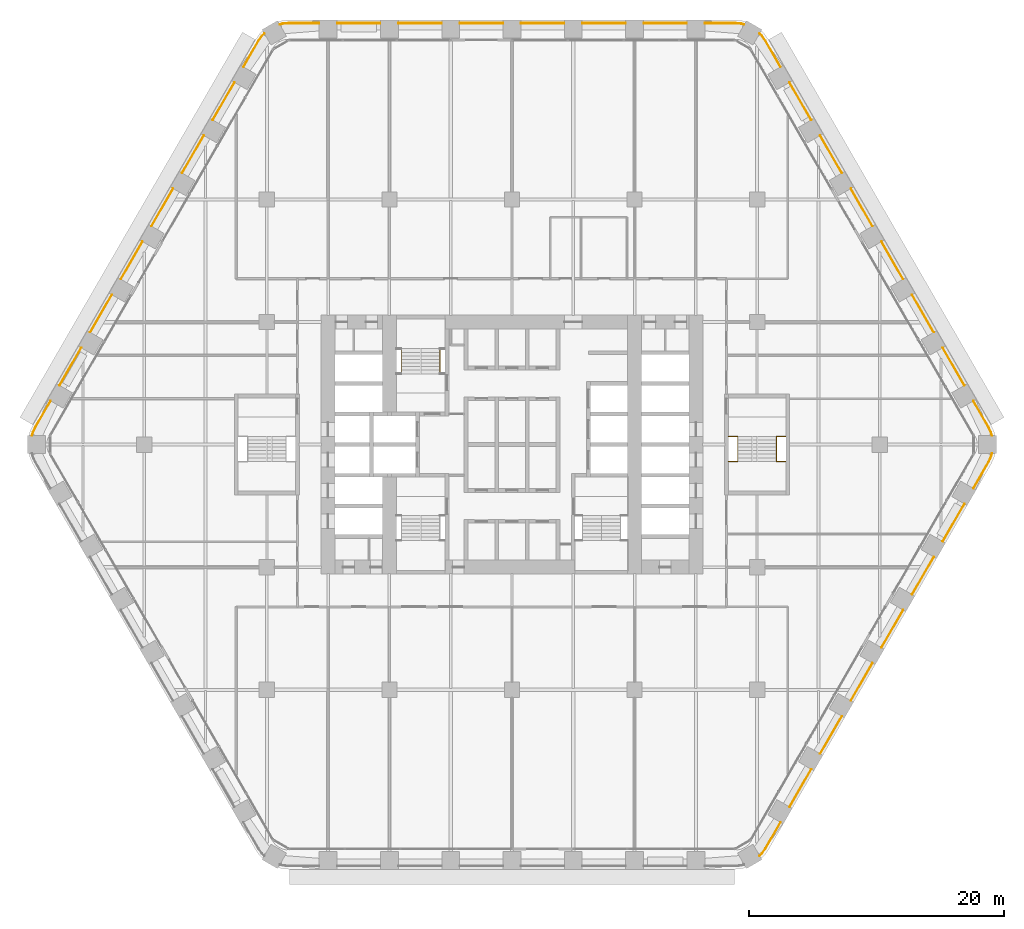
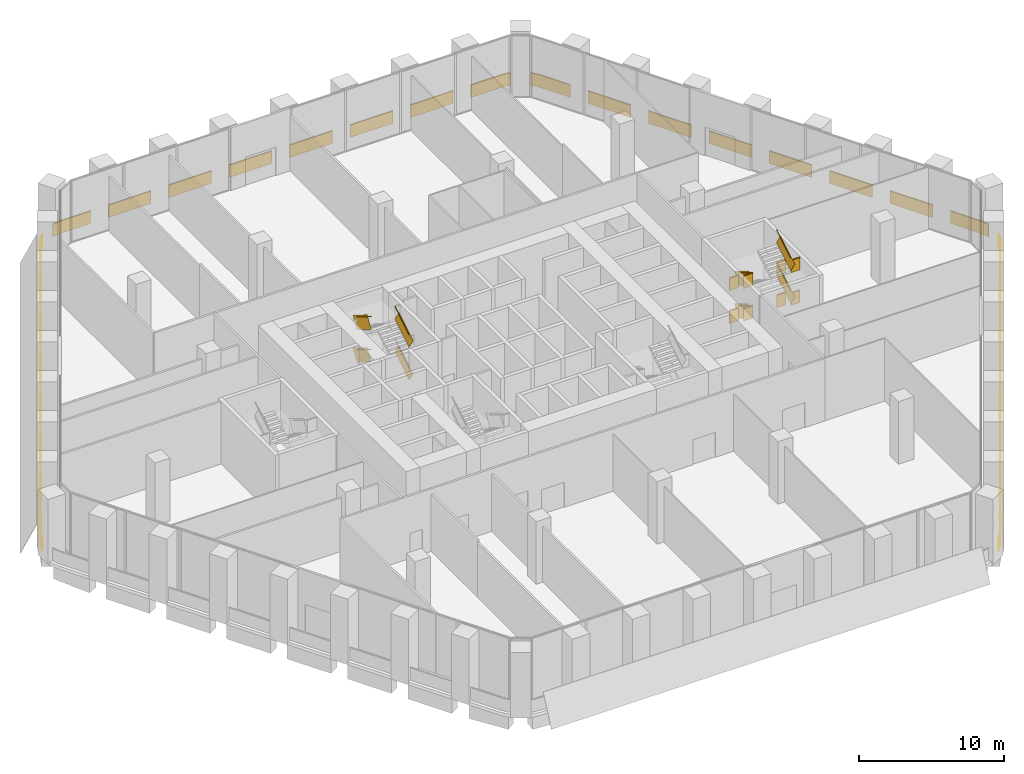
# One storey, part 27 of 27: 7 railings.
"""IFC4 building model written with IfcOpenShell, lengths in metres."""

from ifc_helpers import new_model, si_unit, direction, frame, frame_2d, origin, origin_2d, place, context, subcontext, project, spatial, rectangle, extrude, material, type_object, element, save


model = new_model("IFC4")

# Units and contexts
model_context = context("Model", 3, precision=1e-05, world=origin(), true_north=direction((0.0, 1.0)))
body_context = subcontext(model_context, "Body", "Model", "MODEL_VIEW")
ifc_project = project(units=[si_unit("LENGTHUNIT", "METRE"), si_unit("AREAUNIT", "SQUARE_METRE"), si_unit("VOLUMEUNIT", "CUBIC_METRE"), si_unit("PLANEANGLEUNIT", "RADIAN"), si_unit("MASSUNIT", "GRAM", prefix="KILO")], contexts=[model_context])

# Site, building, storey
site_placement = place(None, origin())
site = spatial("IfcSite", under=ifc_project, at=site_placement, CompositionType="ELEMENT")
building_placement = place(site_placement, origin())
building = spatial("IfcBuilding", under=site, at=building_placement, Name="Kolab Exchange Tower", CompositionType="ELEMENT")
storey_placement = place(building_placement, frame((0.0, 0.0, 27.89990234375)))
storey = spatial("IfcBuildingStorey", under=building, at=storey_placement, Name="L05", CompositionType="ELEMENT", Elevation=27.89990234375)

# Railings
ifc_material_1 = material(Name="Stainless steel 316", Category="steel")
railing_type_1 = type_object("IfcRailingType", Name="GUARD 1100", PredefinedType="GUARDRAIL", material=ifc_material_1)
railing_1_placement = place(storey_placement, frame((-5.639892578125, 5.550048828125, 0.172119140625)))
element("IfcRailing", 1, at=railing_1_placement, inside=storey, type_object=railing_type_1, Name="Handrail guard ST1", PredefinedType="GUARDRAIL", context=body_context, shape_type="SweptSolid", body=[
    extrude(rectangle(XDim=0.05, YDim=0.05, at=origin_2d()), frame((0.0, 0.0, 1.0751953125), z_axis=(0.0, 0.852288308005, 0.523072308613), x_axis=(-1.0, 0.0, 0.0)), (0.0, 0.0, 1.0), 2.299560546875),
    extrude(rectangle(XDim=0.012, YDim=1.05009765625, at=frame_2d((0.0, 0.525146484375))), frame((0.0, 0.0, 0.0), z_axis=(0.0, 0.852288308005, 0.523072308613), x_axis=(-1.0, 0.0, 0.0)), (0.0, 0.0, 1.0), 2.299560546875),
    extrude(rectangle(XDim=0.05, YDim=0.05, at=origin_2d()), frame((-3.02001953125, 1.9599609375, 2.4501953125), z_axis=(0.0, -0.852288308005, 0.523072308613), x_axis=(1.0, 0.0, 0.0)), (0.0, 0.0, 1.0), 2.299560546875),
    extrude(rectangle(XDim=0.012, YDim=1.05009765625, at=frame_2d((0.0, 0.525146484375))), frame((-3.02001953125, 1.9599609375, 1.375), z_axis=(0.0, -0.852288308005, 0.523072308613), x_axis=(1.0, 0.0, 0.0)), (0.0, 0.0, 1.0), 2.299560546875),
    extrude(rectangle(XDim=0.05, YDim=0.05, at=origin_2d()), frame((0.0, 0.0, 3.8251953125), z_axis=(0.0, 0.852288308005, 0.523072308613), x_axis=(-1.0, 0.0, 0.0)), (0.0, 0.0, 1.0), 2.299560546875),
    extrude(rectangle(XDim=0.012, YDim=1.05009765625, at=frame_2d((0.0, 0.525146484375))), frame((0.0, 0.0, 2.75), z_axis=(0.0, 0.852288308005, 0.523072308613), x_axis=(-1.0, 0.0, 0.0)), (0.0, 0.0, 1.0), 2.299560546875),
    extrude(rectangle(XDim=0.05, YDim=0.05, at=origin_2d()), frame((-3.02001953125, 1.9599609375, 5.2001953125), z_axis=(0.0, -0.852288308005, 0.523072308613), x_axis=(1.0, 0.0, 0.0)), (0.0, 0.0, 1.0), 2.299560546875),
    extrude(rectangle(XDim=0.012, YDim=1.05009765625, at=frame_2d((0.0, 0.525146484375))), frame((-3.02001953125, 1.9599609375, 4.125), z_axis=(0.0, -0.852288308005, 0.523072308613), x_axis=(1.0, 0.0, 0.0)), (0.0, 0.0, 1.0), 2.299560546875),
])
railing_2_placement = place(storey_placement, frame((16.949951171875, 0.64990234375, 0.0)))
element("IfcRailing", 2, at=railing_2_placement, inside=storey, type_object=railing_type_1, Name="Guard ST4", PredefinedType="GUARDRAIL", context=body_context, shape_type="SweptSolid", body=[
    extrude(rectangle(XDim=0.05, YDim=0.05, at=origin_2d()), frame((0.0, 0.0, 1.0751953125), z_axis=(1.0, 0.0, 0.0), x_axis=(0.0, 1.0, 0.0)), (0.0, 0.0, 1.0), 0.739990234375),
    extrude(rectangle(XDim=0.012, YDim=1.05009765625, at=frame_2d((0.0, 0.525146484375))), frame((0.0, 0.0, 0.0), z_axis=(1.0, 0.0, 0.0), x_axis=(0.0, 1.0, 0.0)), (0.0, 0.0, 1.0), 0.739990234375),
    extrude(rectangle(XDim=0.05, YDim=0.05, at=origin_2d()), frame((3.760009765625, 0.0, 1.0751953125), z_axis=(1.0, 0.0, 0.0), x_axis=(0.0, 1.0, 0.0)), (0.0, 0.0, 1.0), 0.739990234375),
    extrude(rectangle(XDim=0.012, YDim=1.05009765625, at=frame_2d((0.0, 0.525146484375))), frame((3.760009765625, 0.0, 0.0), z_axis=(1.0, 0.0, 0.0), x_axis=(0.0, 1.0, 0.0)), (0.0, 0.0, 1.0), 0.739990234375),
    extrude(rectangle(XDim=0.05, YDim=0.05, at=origin_2d()), frame((0.0, -1.9599609375, 2.4501953125), z_axis=(1.0, 0.0, 0.0), x_axis=(0.0, 1.0, 0.0)), (0.0, 0.0, 1.0), 0.739990234375),
    extrude(rectangle(XDim=0.012, YDim=1.05009765625, at=frame_2d((0.0, 0.525146484375))), frame((0.0, -1.9599609375, 1.375), z_axis=(1.0, 0.0, 0.0), x_axis=(0.0, 1.0, 0.0)), (0.0, 0.0, 1.0), 0.739990234375),
    extrude(rectangle(XDim=0.05, YDim=0.05, at=origin_2d()), frame((3.760009765625, -1.9599609375, 2.4501953125), z_axis=(1.0, 0.0, 0.0), x_axis=(0.0, 1.0, 0.0)), (0.0, 0.0, 1.0), 0.739990234375),
    extrude(rectangle(XDim=0.012, YDim=1.05009765625, at=frame_2d((0.0, 0.525146484375))), frame((3.760009765625, -1.9599609375, 1.375), z_axis=(1.0, 0.0, 0.0), x_axis=(0.0, 1.0, 0.0)), (0.0, 0.0, 1.0), 0.739990234375),
    extrude(rectangle(XDim=0.05, YDim=0.05, at=origin_2d()), frame((0.0, 0.0, 3.8251953125), z_axis=(1.0, 0.0, 0.0), x_axis=(0.0, 1.0, 0.0)), (0.0, 0.0, 1.0), 0.739990234375),
    extrude(rectangle(XDim=0.012, YDim=1.05009765625, at=frame_2d((0.0, 0.525146484375))), frame((0.0, 0.0, 2.75), z_axis=(1.0, 0.0, 0.0), x_axis=(0.0, 1.0, 0.0)), (0.0, 0.0, 1.0), 0.739990234375),
    extrude(rectangle(XDim=0.05, YDim=0.05, at=origin_2d()), frame((3.760009765625, 0.0, 3.8251953125), z_axis=(1.0, 0.0, 0.0), x_axis=(0.0, 1.0, 0.0)), (0.0, 0.0, 1.0), 0.739990234375),
    extrude(rectangle(XDim=0.012, YDim=1.05009765625, at=frame_2d((0.0, 0.525146484375))), frame((3.760009765625, 0.0, 2.75), z_axis=(1.0, 0.0, 0.0), x_axis=(0.0, 1.0, 0.0)), (0.0, 0.0, 1.0), 0.739990234375),
    extrude(rectangle(XDim=0.05, YDim=0.05, at=origin_2d()), frame((0.0, -1.9599609375, 5.2001953125), z_axis=(1.0, 0.0, 0.0), x_axis=(0.0, 1.0, 0.0)), (0.0, 0.0, 1.0), 0.739990234375),
    extrude(rectangle(XDim=0.012, YDim=1.05009765625, at=frame_2d((0.0, 0.525146484375))), frame((0.0, -1.9599609375, 4.125), z_axis=(1.0, 0.0, 0.0), x_axis=(0.0, 1.0, 0.0)), (0.0, 0.0, 1.0), 0.739990234375),
    extrude(rectangle(XDim=0.05, YDim=0.05, at=origin_2d()), frame((3.760009765625, -1.9599609375, 5.2001953125), z_axis=(1.0, 0.0, 0.0), x_axis=(0.0, 1.0, 0.0)), (0.0, 0.0, 1.0), 0.739990234375),
    extrude(rectangle(XDim=0.012, YDim=1.05009765625, at=frame_2d((0.0, 0.525146484375))), frame((3.760009765625, -1.9599609375, 4.125), z_axis=(1.0, 0.0, 0.0), x_axis=(0.0, 1.0, 0.0)), (0.0, 0.0, 1.0), 0.739990234375),
])
railing_3_placement = place(storey_placement, frame((17.68994140625, 0.64990234375, 0.172119140625)))
element("IfcRailing", 3, at=railing_3_placement, inside=storey, type_object=railing_type_1, Name="Handrail guard ST4", PredefinedType="GUARDRAIL", context=body_context, shape_type="SweptSolid", body=[
    extrude(rectangle(XDim=0.05, YDim=0.05, at=origin_2d()), frame((0.0, 0.0, 1.0751953125), z_axis=(0.0, -0.852288308005, 0.523072308613), x_axis=(1.0, 0.0, 0.0)), (0.0, 0.0, 1.0), 2.299560546875),
    extrude(rectangle(XDim=0.012, YDim=1.05009765625, at=frame_2d((0.0, 0.525146484375))), frame((0.0, 0.0, 0.0), z_axis=(0.0, -0.852288308005, 0.523072308613), x_axis=(1.0, 0.0, 0.0)), (0.0, 0.0, 1.0), 2.299560546875),
    extrude(rectangle(XDim=0.05, YDim=0.05, at=origin_2d()), frame((3.02001953125, -1.9599609375, 2.4501953125), z_axis=(0.0, 0.852288308005, 0.523072308613), x_axis=(-1.0, 0.0, 0.0)), (0.0, 0.0, 1.0), 2.299560546875),
    extrude(rectangle(XDim=0.012, YDim=1.05009765625, at=frame_2d((0.0, 0.525146484375))), frame((3.02001953125, -1.9599609375, 1.375), z_axis=(0.0, 0.852288308005, 0.523072308613), x_axis=(-1.0, 0.0, 0.0)), (0.0, 0.0, 1.0), 2.299560546875),
    extrude(rectangle(XDim=0.05, YDim=0.05, at=origin_2d()), frame((0.0, 0.0, 3.8251953125), z_axis=(0.0, -0.852288308005, 0.523072308613), x_axis=(1.0, 0.0, 0.0)), (0.0, 0.0, 1.0), 2.299560546875),
    extrude(rectangle(XDim=0.012, YDim=1.05009765625, at=frame_2d((0.0, 0.525146484375))), frame((0.0, 0.0, 2.75), z_axis=(0.0, -0.852288308005, 0.523072308613), x_axis=(1.0, 0.0, 0.0)), (0.0, 0.0, 1.0), 2.299560546875),
    extrude(rectangle(XDim=0.05, YDim=0.05, at=origin_2d()), frame((3.02001953125, -1.9599609375, 5.2001953125), z_axis=(0.0, 0.852288308005, 0.523072308613), x_axis=(-1.0, 0.0, 0.0)), (0.0, 0.0, 1.0), 2.299560546875),
    extrude(rectangle(XDim=0.012, YDim=1.05009765625, at=frame_2d((0.0, 0.525146484375))), frame((3.02001953125, -1.9599609375, 4.125), z_axis=(0.0, 0.852288308005, 0.523072308613), x_axis=(-1.0, 0.0, 0.0)), (0.0, 0.0, 1.0), 2.299560546875),
])
ifc_material_2 = material(Name="Steel S235", Category="steel")
railing_type_2 = type_object("IfcRailingType", Name="GUARD 1100 GLASS BALUSTRADE AND STEEL TOP RAIL", PredefinedType="GUARDRAIL", material=ifc_material_2)
railing_4_placement = place(storey_placement, frame((18.1953125, 32.896728515625, 0.0)))
element("IfcRailing", 4, at=railing_4_placement, inside=storey, type_object=railing_type_2, Name="Guard", PredefinedType="GUARDRAIL", context=body_context, shape_type="SweptSolid", body=[
    extrude(rectangle(XDim=0.05, YDim=0.05, at=origin_2d()), frame((0.0, 0.0, 1.0751953125), z_axis=(-0.965952265455, 0.258720352624, 0.0), x_axis=(-0.258720352624, -0.965952265455, 0.0)), (0.0, 0.0, 1.0), 0.258544921875),
    extrude(rectangle(XDim=0.012, YDim=1.05009765625, at=frame_2d((0.0, 0.525146484375))), frame((0.0, 0.0, 0.0), z_axis=(-0.965952265455, 0.258720352624, 0.0), x_axis=(-0.258720352624, -0.965952265455, 0.0)), (0.0, 0.0, 1.0), 0.258544921875),
    extrude(rectangle(XDim=0.05, YDim=0.05, at=origin_2d()), frame((-0.249755859375, 0.06689453125, 1.0751953125), z_axis=(-0.996200348447, 0.087091134757, 0.0), x_axis=(-0.087091134757, -0.996200348447, 0.0)), (0.0, 0.0, 1.0), 0.479248046875),
    extrude(rectangle(XDim=0.012, YDim=1.05009765625, at=frame_2d((0.0, 0.525146484375))), frame((-0.249755859375, 0.06689453125, 0.0), z_axis=(-0.996200348447, 0.087091134757, 0.0), x_axis=(-0.087091134757, -0.996200348447, 0.0)), (0.0, 0.0, 1.0), 0.479248046875),
    extrude(rectangle(XDim=0.05, YDim=0.05, at=origin_2d()), frame((-0.727294921875, 0.108642578125, 1.0751953125), z_axis=(-1.0, 0.0, 0.0), x_axis=(0.0, -1.0, 0.0)), (0.0, 0.0, 1.0), 2.367919921875),
    extrude(rectangle(XDim=0.012, YDim=1.05009765625, at=frame_2d((0.0, 0.525146484375))), frame((-0.727294921875, 0.108642578125, 0.0), z_axis=(-1.0, 0.0, 0.0), x_axis=(0.0, -1.0, 0.0)), (0.0, 0.0, 1.0), 2.367919921875),
    extrude(rectangle(XDim=0.05, YDim=0.05, at=origin_2d()), frame((-4.495361328125, 0.108642578125, 1.0751953125), z_axis=(-1.0, 0.0, 0.0), x_axis=(0.0, -1.0, 0.0)), (0.0, 0.0, 1.0), 3.39990234375),
    extrude(rectangle(XDim=0.012, YDim=1.05009765625, at=frame_2d((0.0, 0.525146484375))), frame((-4.495361328125, 0.108642578125, 0.0), z_axis=(-1.0, 0.0, 0.0), x_axis=(0.0, -1.0, 0.0)), (0.0, 0.0, 1.0), 3.39990234375),
    extrude(rectangle(XDim=0.05, YDim=0.05, at=origin_2d()), frame((-9.29541015625, 0.108642578125, 1.0751953125), z_axis=(-1.0, 0.0, 0.0), x_axis=(0.0, -1.0, 0.0)), (0.0, 0.0, 1.0), 3.39990234375),
    extrude(rectangle(XDim=0.012, YDim=1.05009765625, at=frame_2d((0.0, 0.525146484375))), frame((-9.29541015625, 0.108642578125, 0.0), z_axis=(-1.0, 0.0, 0.0), x_axis=(0.0, -1.0, 0.0)), (0.0, 0.0, 1.0), 3.39990234375),
    extrude(rectangle(XDim=0.05, YDim=0.05, at=origin_2d()), frame((-14.09521484375, 0.108642578125, 1.0751953125), z_axis=(-1.0, 0.0, 0.0), x_axis=(0.0, -1.0, 0.0)), (0.0, 0.0, 1.0), 3.400146484375),
    extrude(rectangle(XDim=0.012, YDim=1.05009765625, at=frame_2d((0.0, 0.525146484375))), frame((-14.09521484375, 0.108642578125, 0.0), z_axis=(-1.0, 0.0, 0.0), x_axis=(0.0, -1.0, 0.0)), (0.0, 0.0, 1.0), 3.400146484375),
    extrude(rectangle(XDim=0.05, YDim=0.05, at=origin_2d()), frame((-18.895263671875, 0.108642578125, 1.0751953125), z_axis=(-1.0, 0.0, 0.0), x_axis=(0.0, -1.0, 0.0)), (0.0, 0.0, 1.0), 3.400146484375),
    extrude(rectangle(XDim=0.012, YDim=1.05009765625, at=frame_2d((0.0, 0.525146484375))), frame((-18.895263671875, 0.108642578125, 0.0), z_axis=(-1.0, 0.0, 0.0), x_axis=(0.0, -1.0, 0.0)), (0.0, 0.0, 1.0), 3.400146484375),
    extrude(rectangle(XDim=0.05, YDim=0.05, at=origin_2d()), frame((-23.6953125, 0.108642578125, 1.0751953125), z_axis=(-1.0, 0.0, 0.0), x_axis=(0.0, -1.0, 0.0)), (0.0, 0.0, 1.0), 3.39990234375),
    extrude(rectangle(XDim=0.012, YDim=1.05009765625, at=frame_2d((0.0, 0.525146484375))), frame((-23.6953125, 0.108642578125, 0.0), z_axis=(-1.0, 0.0, 0.0), x_axis=(0.0, -1.0, 0.0)), (0.0, 0.0, 1.0), 3.39990234375),
    extrude(rectangle(XDim=0.05, YDim=0.05, at=origin_2d()), frame((-28.495361328125, 0.108642578125, 1.0751953125), z_axis=(-1.0, 0.0, 0.0), x_axis=(0.0, -1.0, 0.0)), (0.0, 0.0, 1.0), 3.39990234375),
    extrude(rectangle(XDim=0.012, YDim=1.05009765625, at=frame_2d((0.0, 0.525146484375))), frame((-28.495361328125, 0.108642578125, 0.0), z_axis=(-1.0, 0.0, 0.0), x_axis=(0.0, -1.0, 0.0)), (0.0, 0.0, 1.0), 3.39990234375),
    extrude(rectangle(XDim=0.05, YDim=0.05, at=origin_2d()), frame((-33.29541015625, 0.108642578125, 1.0751953125), z_axis=(-1.0, 0.0, 0.0), x_axis=(0.0, -1.0, 0.0)), (0.0, 0.0, 1.0), 2.367919921875),
    extrude(rectangle(XDim=0.012, YDim=1.05009765625, at=frame_2d((0.0, 0.525146484375))), frame((-33.29541015625, 0.108642578125, 0.0), z_axis=(-1.0, 0.0, 0.0), x_axis=(0.0, -1.0, 0.0)), (0.0, 0.0, 1.0), 2.367919921875),
    extrude(rectangle(XDim=0.05, YDim=0.05, at=origin_2d()), frame((-35.663330078125, 0.108642578125, 1.0751953125), z_axis=(-0.996200348447, -0.087091134757, 0.0), x_axis=(0.087091134757, -0.996200348447, 0.0)), (0.0, 0.0, 1.0), 0.479248046875),
    extrude(rectangle(XDim=0.012, YDim=1.05009765625, at=frame_2d((0.0, 0.525146484375))), frame((-35.663330078125, 0.108642578125, 0.0), z_axis=(-0.996200348447, -0.087091134757, 0.0), x_axis=(0.087091134757, -0.996200348447, 0.0)), (0.0, 0.0, 1.0), 0.479248046875),
    extrude(rectangle(XDim=0.05, YDim=0.05, at=origin_2d()), frame((-36.140869140625, 0.06689453125, 1.0751953125), z_axis=(-0.965952265455, -0.258720352624, 0.0), x_axis=(0.258720352624, -0.965952265455, 0.0)), (0.0, 0.0, 1.0), 0.258544921875),
    extrude(rectangle(XDim=0.012, YDim=1.05009765625, at=frame_2d((0.0, 0.525146484375))), frame((-36.140869140625, 0.06689453125, 0.0), z_axis=(-0.965952265455, -0.258720352624, 0.0), x_axis=(0.258720352624, -0.965952265455, 0.0)), (0.0, 0.0, 1.0), 0.258544921875),
])
railing_5_placement = place(storey_placement, frame((37.5869140625, 0.690673828125, 0.0)))
element("IfcRailing", 5, at=railing_5_placement, inside=storey, type_object=railing_type_2, Name="Guard", PredefinedType="GUARDRAIL", context=body_context, shape_type="SweptSolid", body=[
    extrude(rectangle(XDim=0.05, YDim=0.05, at=origin_2d()), frame((0.0, 0.0, 1.0751953125), z_axis=(-0.258484584798, 0.966015382601, 0.0), x_axis=(-0.966015382601, -0.258484584798, 0.0)), (0.0, 0.0, 1.0), 0.2587890625),
    extrude(rectangle(XDim=0.012, YDim=1.05009765625, at=frame_2d((0.0, 0.525146484375))), frame((0.0, 0.0, 0.0), z_axis=(-0.258484584798, 0.966015382601, 0.0), x_axis=(-0.966015382601, -0.258484584798, 0.0)), (0.0, 0.0, 1.0), 0.2587890625),
    extrude(rectangle(XDim=0.05, YDim=0.05, at=origin_2d()), frame((-0.06689453125, 0.25, 1.0751953125), z_axis=(-0.422801802984, 0.906222177721, 0.0), x_axis=(-0.906222177721, -0.422801802984, 0.0)), (0.0, 0.0, 1.0), 0.479248046875),
    extrude(rectangle(XDim=0.012, YDim=1.05009765625, at=frame_2d((0.0, 0.525146484375))), frame((-0.06689453125, 0.25, 0.0), z_axis=(-0.422801802984, 0.906222177721, 0.0), x_axis=(-0.906222177721, -0.422801802984, 0.0)), (0.0, 0.0, 1.0), 0.479248046875),
    extrude(rectangle(XDim=0.05, YDim=0.05, at=origin_2d()), frame((-0.26953125, 0.684326171875, 1.0751953125), z_axis=(-0.499942602326, 0.866058539811, 0.0), x_axis=(-0.866058539811, -0.499942602326, 0.0)), (0.0, 0.0, 1.0), 2.367919921875),
    extrude(rectangle(XDim=0.012, YDim=1.05009765625, at=frame_2d((0.0, 0.525146484375))), frame((-0.26953125, 0.684326171875, 0.0), z_axis=(-0.499942602326, 0.866058539811, 0.0), x_axis=(-0.866058539811, -0.499942602326, 0.0)), (0.0, 0.0, 1.0), 2.367919921875),
    extrude(rectangle(XDim=0.05, YDim=0.05, at=origin_2d()), frame((-2.1533203125, 3.947509765625, 1.0751953125), z_axis=(-0.500062241894, 0.865989465428, 0.0), x_axis=(-0.865989465428, -0.500062241894, 0.0)), (0.0, 0.0, 1.0), 3.39990234375),
    extrude(rectangle(XDim=0.012, YDim=1.05009765625, at=frame_2d((0.0, 0.525146484375))), frame((-2.1533203125, 3.947509765625, 0.0), z_axis=(-0.500062241894, 0.865989465428, 0.0), x_axis=(-0.865989465428, -0.500062241894, 0.0)), (0.0, 0.0, 1.0), 3.39990234375),
    extrude(rectangle(XDim=0.05, YDim=0.05, at=origin_2d()), frame((-4.553466796875, 8.1044921875, 1.0751953125), z_axis=(-0.500008388397, 0.866020560687, 0.0), x_axis=(-0.866020560687, -0.500008388397, 0.0)), (0.0, 0.0, 1.0), 3.39990234375),
    extrude(rectangle(XDim=0.012, YDim=1.05009765625, at=frame_2d((0.0, 0.525146484375))), frame((-4.553466796875, 8.1044921875, 0.0), z_axis=(-0.500008388397, 0.866020560687, 0.0), x_axis=(-0.866020560687, -0.500008388397, 0.0)), (0.0, 0.0, 1.0), 3.39990234375),
    extrude(rectangle(XDim=0.05, YDim=0.05, at=origin_2d()), frame((-6.953369140625, 12.26123046875, 1.0751953125), z_axis=(-0.499977295307, 0.866038511948, 0.0), x_axis=(-0.866038511948, -0.499977295307, 0.0)), (0.0, 0.0, 1.0), 3.400146484375),
    extrude(rectangle(XDim=0.012, YDim=1.05009765625, at=frame_2d((0.0, 0.525146484375))), frame((-6.953369140625, 12.26123046875, 0.0), z_axis=(-0.499977295307, 0.866038511948, 0.0), x_axis=(-0.866038511948, -0.499977295307, 0.0)), (0.0, 0.0, 1.0), 3.400146484375),
    extrude(rectangle(XDim=0.05, YDim=0.05, at=origin_2d()), frame((-9.353515625, 16.418212890625, 1.0751953125), z_axis=(-0.499977295307, 0.866038511948, 0.0), x_axis=(-0.866038511948, -0.499977295307, 0.0)), (0.0, 0.0, 1.0), 3.400146484375),
    extrude(rectangle(XDim=0.012, YDim=1.05009765625, at=frame_2d((0.0, 0.525146484375))), frame((-9.353515625, 16.418212890625, 0.0), z_axis=(-0.499977295307, 0.866038511948, 0.0), x_axis=(-0.866038511948, -0.499977295307, 0.0)), (0.0, 0.0, 1.0), 3.400146484375),
    extrude(rectangle(XDim=0.05, YDim=0.05, at=origin_2d()), frame((-11.75341796875, 20.5751953125, 1.0751953125), z_axis=(-0.500008388397, 0.866020560687, 0.0), x_axis=(-0.866020560687, -0.500008388397, 0.0)), (0.0, 0.0, 1.0), 3.39990234375),
    extrude(rectangle(XDim=0.012, YDim=1.05009765625, at=frame_2d((0.0, 0.525146484375))), frame((-11.75341796875, 20.5751953125, 0.0), z_axis=(-0.500008388397, 0.866020560687, 0.0), x_axis=(-0.866020560687, -0.500008388397, 0.0)), (0.0, 0.0, 1.0), 3.39990234375),
    extrude(rectangle(XDim=0.05, YDim=0.05, at=origin_2d()), frame((-14.1533203125, 24.732177734375, 1.0751953125), z_axis=(-0.500062241894, 0.865989465428, 0.0), x_axis=(-0.865989465428, -0.500062241894, 0.0)), (0.0, 0.0, 1.0), 3.39990234375),
    extrude(rectangle(XDim=0.012, YDim=1.05009765625, at=frame_2d((0.0, 0.525146484375))), frame((-14.1533203125, 24.732177734375, 0.0), z_axis=(-0.500062241894, 0.865989465428, 0.0), x_axis=(-0.865989465428, -0.500062241894, 0.0)), (0.0, 0.0, 1.0), 3.39990234375),
    extrude(rectangle(XDim=0.05, YDim=0.05, at=origin_2d()), frame((-16.553466796875, 28.888916015625, 1.0751953125), z_axis=(-0.499942602326, 0.866058539811, 0.0), x_axis=(-0.866058539811, -0.499942602326, 0.0)), (0.0, 0.0, 1.0), 2.367919921875),
    extrude(rectangle(XDim=0.012, YDim=1.05009765625, at=frame_2d((0.0, 0.525146484375))), frame((-16.553466796875, 28.888916015625, 0.0), z_axis=(-0.499942602326, 0.866058539811, 0.0), x_axis=(-0.866058539811, -0.499942602326, 0.0)), (0.0, 0.0, 1.0), 2.367919921875),
    extrude(rectangle(XDim=0.05, YDim=0.05, at=origin_2d()), frame((-17.7373046875, 30.939697265625, 1.0751953125), z_axis=(-0.573940749815, 0.818896828485, 0.0), x_axis=(-0.818896828485, -0.573940749815, 0.0)), (0.0, 0.0, 1.0), 0.4794921875),
    extrude(rectangle(XDim=0.012, YDim=1.05009765625, at=frame_2d((0.0, 0.525146484375))), frame((-17.7373046875, 30.939697265625, 0.0), z_axis=(-0.573940749815, 0.818896828485, 0.0), x_axis=(-0.818896828485, -0.573940749815, 0.0)), (0.0, 0.0, 1.0), 0.4794921875),
    extrude(rectangle(XDim=0.05, YDim=0.05, at=origin_2d()), frame((-18.012451171875, 31.332275390625, 1.0751953125), z_axis=(-0.706634904947, 0.707578342737, 0.0), x_axis=(-0.707578342737, -0.706634904947, 0.0)), (0.0, 0.0, 1.0), 0.2587890625),
    extrude(rectangle(XDim=0.012, YDim=1.05009765625, at=frame_2d((0.0, 0.525146484375))), frame((-18.012451171875, 31.332275390625, 0.0), z_axis=(-0.706634904947, 0.707578342737, 0.0), x_axis=(-0.707578342737, -0.706634904947, 0.0)), (0.0, 0.0, 1.0), 0.2587890625),
])
railing_6_placement = place(storey_placement, frame((19.3916015625, -32.2060546875, 0.0)))
element("IfcRailing", 6, at=railing_6_placement, inside=storey, type_object=railing_type_2, Name="Guard", PredefinedType="GUARDRAIL", context=body_context, shape_type="SweptSolid", body=[
    extrude(rectangle(XDim=0.05, YDim=0.05, at=origin_2d()), frame((0.0, 0.0, 1.0751953125), z_axis=(0.706634904947, 0.707578342737, 0.0), x_axis=(-0.707578342737, 0.706634904947, 0.0)), (0.0, 0.0, 1.0), 0.2587890625),
    extrude(rectangle(XDim=0.012, YDim=1.05009765625, at=frame_2d((0.0, 0.525146484375))), frame((0.0, 0.0, 0.0), z_axis=(0.706634904947, 0.707578342737, 0.0), x_axis=(-0.707578342737, 0.706634904947, 0.0)), (0.0, 0.0, 1.0), 0.2587890625),
    extrude(rectangle(XDim=0.05, YDim=0.05, at=origin_2d()), frame((0.182861328125, 0.18310546875, 1.0751953125), z_axis=(0.573940749815, 0.818896828485, 0.0), x_axis=(-0.818896828485, 0.573940749815, 0.0)), (0.0, 0.0, 1.0), 0.4794921875),
    extrude(rectangle(XDim=0.012, YDim=1.05009765625, at=frame_2d((0.0, 0.525146484375))), frame((0.182861328125, 0.18310546875, 0.0), z_axis=(0.573940749815, 0.818896828485, 0.0), x_axis=(-0.818896828485, 0.573940749815, 0.0)), (0.0, 0.0, 1.0), 0.4794921875),
    extrude(rectangle(XDim=0.05, YDim=0.05, at=origin_2d()), frame((0.4580078125, 0.57568359375, 1.0751953125), z_axis=(0.499942602326, 0.866058539811, 0.0), x_axis=(-0.866058539811, 0.499942602326, 0.0)), (0.0, 0.0, 1.0), 2.367919921875),
    extrude(rectangle(XDim=0.012, YDim=1.05009765625, at=frame_2d((0.0, 0.525146484375))), frame((0.4580078125, 0.57568359375, 0.0), z_axis=(0.499942602326, 0.866058539811, 0.0), x_axis=(-0.866058539811, 0.499942602326, 0.0)), (0.0, 0.0, 1.0), 2.367919921875),
    extrude(rectangle(XDim=0.05, YDim=0.05, at=origin_2d()), frame((2.341796875, 3.8388671875, 1.0751953125), z_axis=(0.500062241894, 0.865989465428, 0.0), x_axis=(-0.865989465428, 0.500062241894, 0.0)), (0.0, 0.0, 1.0), 3.39990234375),
    extrude(rectangle(XDim=0.012, YDim=1.05009765625, at=frame_2d((0.0, 0.525146484375))), frame((2.341796875, 3.8388671875, 0.0), z_axis=(0.500062241894, 0.865989465428, 0.0), x_axis=(-0.865989465428, 0.500062241894, 0.0)), (0.0, 0.0, 1.0), 3.39990234375),
    extrude(rectangle(XDim=0.05, YDim=0.05, at=origin_2d()), frame((4.741943359375, 7.995849609375, 1.0751953125), z_axis=(0.500008388397, 0.866020560687, 0.0), x_axis=(-0.866020560687, 0.500008388397, 0.0)), (0.0, 0.0, 1.0), 3.39990234375),
    extrude(rectangle(XDim=0.012, YDim=1.05009765625, at=frame_2d((0.0, 0.525146484375))), frame((4.741943359375, 7.995849609375, 0.0), z_axis=(0.500008388397, 0.866020560687, 0.0), x_axis=(-0.866020560687, 0.500008388397, 0.0)), (0.0, 0.0, 1.0), 3.39990234375),
    extrude(rectangle(XDim=0.05, YDim=0.05, at=origin_2d()), frame((7.141845703125, 12.152587890625, 1.0751953125), z_axis=(0.499977295307, 0.866038511948, 0.0), x_axis=(-0.866038511948, 0.499977295307, 0.0)), (0.0, 0.0, 1.0), 3.400146484375),
    extrude(rectangle(XDim=0.012, YDim=1.05009765625, at=frame_2d((0.0, 0.525146484375))), frame((7.141845703125, 12.152587890625, 0.0), z_axis=(0.499977295307, 0.866038511948, 0.0), x_axis=(-0.866038511948, 0.499977295307, 0.0)), (0.0, 0.0, 1.0), 3.400146484375),
    extrude(rectangle(XDim=0.05, YDim=0.05, at=origin_2d()), frame((9.5419921875, 16.3095703125, 1.0751953125), z_axis=(0.499977295307, 0.866038511948, 0.0), x_axis=(-0.866038511948, 0.499977295307, 0.0)), (0.0, 0.0, 1.0), 3.400146484375),
    extrude(rectangle(XDim=0.012, YDim=1.05009765625, at=frame_2d((0.0, 0.525146484375))), frame((9.5419921875, 16.3095703125, 0.0), z_axis=(0.499977295307, 0.866038511948, 0.0), x_axis=(-0.866038511948, 0.499977295307, 0.0)), (0.0, 0.0, 1.0), 3.400146484375),
    extrude(rectangle(XDim=0.05, YDim=0.05, at=origin_2d()), frame((11.94189453125, 20.466552734375, 1.0751953125), z_axis=(0.500008388397, 0.866020560687, 0.0), x_axis=(-0.866020560687, 0.500008388397, 0.0)), (0.0, 0.0, 1.0), 3.39990234375),
    extrude(rectangle(XDim=0.012, YDim=1.05009765625, at=frame_2d((0.0, 0.525146484375))), frame((11.94189453125, 20.466552734375, 0.0), z_axis=(0.500008388397, 0.866020560687, 0.0), x_axis=(-0.866020560687, 0.500008388397, 0.0)), (0.0, 0.0, 1.0), 3.39990234375),
    extrude(rectangle(XDim=0.05, YDim=0.05, at=origin_2d()), frame((14.341796875, 24.62353515625, 1.0751953125), z_axis=(0.500062241894, 0.865989465428, 0.0), x_axis=(-0.865989465428, 0.500062241894, 0.0)), (0.0, 0.0, 1.0), 3.39990234375),
    extrude(rectangle(XDim=0.012, YDim=1.05009765625, at=frame_2d((0.0, 0.525146484375))), frame((14.341796875, 24.62353515625, 0.0), z_axis=(0.500062241894, 0.865989465428, 0.0), x_axis=(-0.865989465428, 0.500062241894, 0.0)), (0.0, 0.0, 1.0), 3.39990234375),
    extrude(rectangle(XDim=0.05, YDim=0.05, at=origin_2d()), frame((16.741943359375, 28.7802734375, 1.0751953125), z_axis=(0.499942602326, 0.866058539811, 0.0), x_axis=(-0.866058539811, 0.499942602326, 0.0)), (0.0, 0.0, 1.0), 2.367919921875),
    extrude(rectangle(XDim=0.012, YDim=1.05009765625, at=frame_2d((0.0, 0.525146484375))), frame((16.741943359375, 28.7802734375, 0.0), z_axis=(0.499942602326, 0.866058539811, 0.0), x_axis=(-0.866058539811, 0.499942602326, 0.0)), (0.0, 0.0, 1.0), 2.367919921875),
    extrude(rectangle(XDim=0.05, YDim=0.05, at=origin_2d()), frame((17.92578125, 30.8310546875, 1.0751953125), z_axis=(0.422801802984, 0.906222177721, 0.0), x_axis=(-0.906222177721, 0.422801802984, 0.0)), (0.0, 0.0, 1.0), 0.479248046875),
    extrude(rectangle(XDim=0.012, YDim=1.05009765625, at=frame_2d((0.0, 0.525146484375))), frame((17.92578125, 30.8310546875, 0.0), z_axis=(0.422801802984, 0.906222177721, 0.0), x_axis=(-0.906222177721, 0.422801802984, 0.0)), (0.0, 0.0, 1.0), 0.479248046875),
    extrude(rectangle(XDim=0.05, YDim=0.05, at=origin_2d()), frame((18.12841796875, 31.265380859375, 1.0751953125), z_axis=(0.258484584798, 0.966015382601, 0.0), x_axis=(-0.966015382601, 0.258484584798, 0.0)), (0.0, 0.0, 1.0), 0.2587890625),
    extrude(rectangle(XDim=0.012, YDim=1.05009765625, at=frame_2d((0.0, 0.525146484375))), frame((18.12841796875, 31.265380859375, 0.0), z_axis=(0.258484584798, 0.966015382601, 0.0), x_axis=(-0.966015382601, 0.258484584798, 0.0)), (0.0, 0.0, 1.0), 0.2587890625),
])
railing_7_placement = place(storey_placement, frame((-19.3916015625, 32.2060546875, 0.0)))
element("IfcRailing", 7, at=railing_7_placement, inside=storey, type_object=railing_type_2, Name="Guard", PredefinedType="GUARDRAIL", context=body_context, shape_type="SweptSolid", body=[
    extrude(rectangle(XDim=0.05, YDim=0.05, at=origin_2d()), frame((0.0, 0.0, 1.0751953125), z_axis=(-0.706634904947, -0.707578342737, 0.0), x_axis=(0.707578342737, -0.706634904947, 0.0)), (0.0, 0.0, 1.0), 0.2587890625),
    extrude(rectangle(XDim=0.012, YDim=1.05009765625, at=frame_2d((0.0, 0.525146484375))), frame((0.0, 0.0, 0.0), z_axis=(-0.706634904947, -0.707578342737, 0.0), x_axis=(0.707578342737, -0.706634904947, 0.0)), (0.0, 0.0, 1.0), 0.2587890625),
    extrude(rectangle(XDim=0.05, YDim=0.05, at=origin_2d()), frame((-0.182861328125, -0.18310546875, 1.0751953125), z_axis=(-0.573940749815, -0.818896828485, 0.0), x_axis=(0.818896828485, -0.573940749815, 0.0)), (0.0, 0.0, 1.0), 0.4794921875),
    extrude(rectangle(XDim=0.012, YDim=1.05009765625, at=frame_2d((0.0, 0.525146484375))), frame((-0.182861328125, -0.18310546875, 0.0), z_axis=(-0.573940749815, -0.818896828485, 0.0), x_axis=(0.818896828485, -0.573940749815, 0.0)), (0.0, 0.0, 1.0), 0.4794921875),
    extrude(rectangle(XDim=0.05, YDim=0.05, at=origin_2d()), frame((-0.4580078125, -0.57568359375, 1.0751953125), z_axis=(-0.499942602326, -0.866058539811, 0.0), x_axis=(0.866058539811, -0.499942602326, 0.0)), (0.0, 0.0, 1.0), 2.367919921875),
    extrude(rectangle(XDim=0.012, YDim=1.05009765625, at=frame_2d((0.0, 0.525146484375))), frame((-0.4580078125, -0.57568359375, 0.0), z_axis=(-0.499942602326, -0.866058539811, 0.0), x_axis=(0.866058539811, -0.499942602326, 0.0)), (0.0, 0.0, 1.0), 2.367919921875),
    extrude(rectangle(XDim=0.05, YDim=0.05, at=origin_2d()), frame((-2.341796875, -3.8388671875, 1.0751953125), z_axis=(-0.500062241894, -0.865989465428, 0.0), x_axis=(0.865989465428, -0.500062241894, 0.0)), (0.0, 0.0, 1.0), 3.39990234375),
    extrude(rectangle(XDim=0.012, YDim=1.05009765625, at=frame_2d((0.0, 0.525146484375))), frame((-2.341796875, -3.8388671875, 0.0), z_axis=(-0.500062241894, -0.865989465428, 0.0), x_axis=(0.865989465428, -0.500062241894, 0.0)), (0.0, 0.0, 1.0), 3.39990234375),
    extrude(rectangle(XDim=0.05, YDim=0.05, at=origin_2d()), frame((-4.741943359375, -7.995849609375, 1.0751953125), z_axis=(-0.500008388397, -0.866020560687, 0.0), x_axis=(0.866020560687, -0.500008388397, 0.0)), (0.0, 0.0, 1.0), 3.39990234375),
    extrude(rectangle(XDim=0.012, YDim=1.05009765625, at=frame_2d((0.0, 0.525146484375))), frame((-4.741943359375, -7.995849609375, 0.0), z_axis=(-0.500008388397, -0.866020560687, 0.0), x_axis=(0.866020560687, -0.500008388397, 0.0)), (0.0, 0.0, 1.0), 3.39990234375),
    extrude(rectangle(XDim=0.05, YDim=0.05, at=origin_2d()), frame((-7.141845703125, -12.152587890625, 1.0751953125), z_axis=(-0.499977295307, -0.866038511948, 0.0), x_axis=(0.866038511948, -0.499977295307, 0.0)), (0.0, 0.0, 1.0), 3.400146484375),
    extrude(rectangle(XDim=0.012, YDim=1.05009765625, at=frame_2d((0.0, 0.525146484375))), frame((-7.141845703125, -12.152587890625, 0.0), z_axis=(-0.499977295307, -0.866038511948, 0.0), x_axis=(0.866038511948, -0.499977295307, 0.0)), (0.0, 0.0, 1.0), 3.400146484375),
    extrude(rectangle(XDim=0.05, YDim=0.05, at=origin_2d()), frame((-9.5419921875, -16.3095703125, 1.0751953125), z_axis=(-0.499977295307, -0.866038511948, 0.0), x_axis=(0.866038511948, -0.499977295307, 0.0)), (0.0, 0.0, 1.0), 3.400146484375),
    extrude(rectangle(XDim=0.012, YDim=1.05009765625, at=frame_2d((0.0, 0.525146484375))), frame((-9.5419921875, -16.3095703125, 0.0), z_axis=(-0.499977295307, -0.866038511948, 0.0), x_axis=(0.866038511948, -0.499977295307, 0.0)), (0.0, 0.0, 1.0), 3.400146484375),
    extrude(rectangle(XDim=0.05, YDim=0.05, at=origin_2d()), frame((-11.94189453125, -20.466552734375, 1.0751953125), z_axis=(-0.500008388397, -0.866020560687, 0.0), x_axis=(0.866020560687, -0.500008388397, 0.0)), (0.0, 0.0, 1.0), 3.39990234375),
    extrude(rectangle(XDim=0.012, YDim=1.05009765625, at=frame_2d((0.0, 0.525146484375))), frame((-11.94189453125, -20.466552734375, 0.0), z_axis=(-0.500008388397, -0.866020560687, 0.0), x_axis=(0.866020560687, -0.500008388397, 0.0)), (0.0, 0.0, 1.0), 3.39990234375),
    extrude(rectangle(XDim=0.05, YDim=0.05, at=origin_2d()), frame((-14.341796875, -24.62353515625, 1.0751953125), z_axis=(-0.500062241894, -0.865989465428, 0.0), x_axis=(0.865989465428, -0.500062241894, 0.0)), (0.0, 0.0, 1.0), 3.39990234375),
    extrude(rectangle(XDim=0.012, YDim=1.05009765625, at=frame_2d((0.0, 0.525146484375))), frame((-14.341796875, -24.62353515625, 0.0), z_axis=(-0.500062241894, -0.865989465428, 0.0), x_axis=(0.865989465428, -0.500062241894, 0.0)), (0.0, 0.0, 1.0), 3.39990234375),
    extrude(rectangle(XDim=0.05, YDim=0.05, at=origin_2d()), frame((-16.741943359375, -28.7802734375, 1.0751953125), z_axis=(-0.499942602326, -0.866058539811, 0.0), x_axis=(0.866058539811, -0.499942602326, 0.0)), (0.0, 0.0, 1.0), 2.367919921875),
    extrude(rectangle(XDim=0.012, YDim=1.05009765625, at=frame_2d((0.0, 0.525146484375))), frame((-16.741943359375, -28.7802734375, 0.0), z_axis=(-0.499942602326, -0.866058539811, 0.0), x_axis=(0.866058539811, -0.499942602326, 0.0)), (0.0, 0.0, 1.0), 2.367919921875),
    extrude(rectangle(XDim=0.05, YDim=0.05, at=origin_2d()), frame((-17.92578125, -30.8310546875, 1.0751953125), z_axis=(-0.422801802984, -0.906222177721, 0.0), x_axis=(0.906222177721, -0.422801802984, 0.0)), (0.0, 0.0, 1.0), 0.479248046875),
    extrude(rectangle(XDim=0.012, YDim=1.05009765625, at=frame_2d((0.0, 0.525146484375))), frame((-17.92578125, -30.8310546875, 0.0), z_axis=(-0.422801802984, -0.906222177721, 0.0), x_axis=(0.906222177721, -0.422801802984, 0.0)), (0.0, 0.0, 1.0), 0.479248046875),
    extrude(rectangle(XDim=0.05, YDim=0.05, at=origin_2d()), frame((-18.12841796875, -31.265380859375, 1.0751953125), z_axis=(-0.258484584798, -0.966015382601, 0.0), x_axis=(0.966015382601, -0.258484584798, 0.0)), (0.0, 0.0, 1.0), 0.2587890625),
    extrude(rectangle(XDim=0.012, YDim=1.05009765625, at=frame_2d((0.0, 0.525146484375))), frame((-18.12841796875, -31.265380859375, 0.0), z_axis=(-0.258484584798, -0.966015382601, 0.0), x_axis=(0.966015382601, -0.258484584798, 0.0)), (0.0, 0.0, 1.0), 0.2587890625),
])

save(model, "model.ifc")
